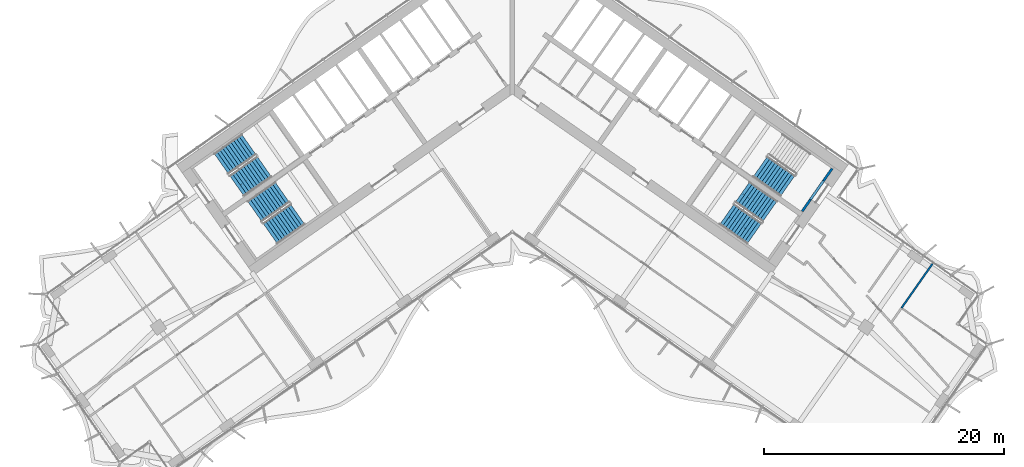
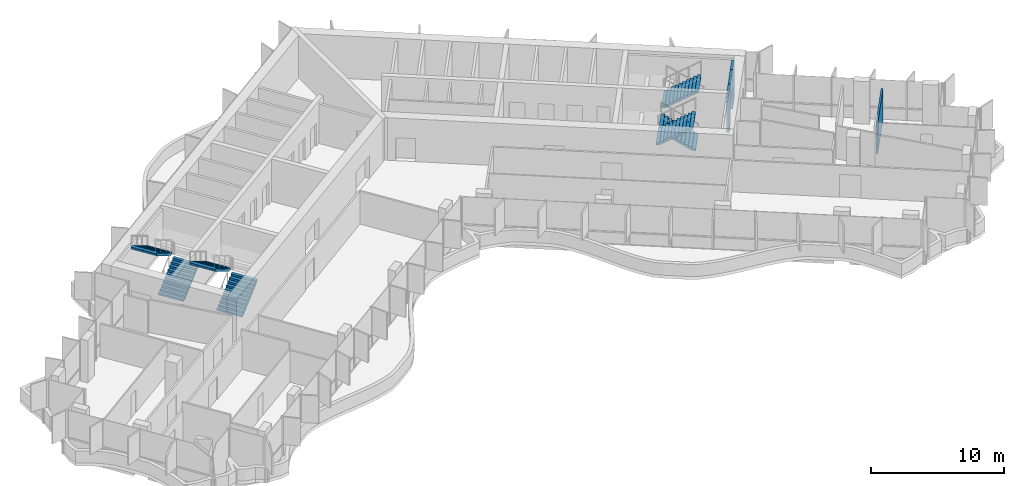
# One storey, part 15 of 22: 7 stair flights, 4 walls, 4 elements without a shape of their own.
"""IFC4 building model written with IfcOpenShell, lengths in metres."""

from ifc_helpers import new_model, si_unit, direction, frame, frame_2d, origin, place, context, subcontext, project, spatial, polyline, rectangle, outline, extrude, material, layer, layer_set, type_object, element, aggregate, save


model = new_model("IFC4")

# Units and contexts
model_context = context("Model", 3, precision=1e-05, world=origin(), true_north=direction((0.0, 1.0)))
body_context = subcontext(model_context, "Body", "Model", "MODEL_VIEW")
ifc_project = project(units=[si_unit("LENGTHUNIT", "METRE"), si_unit("AREAUNIT", "SQUARE_METRE"), si_unit("VOLUMEUNIT", "CUBIC_METRE"), si_unit("PLANEANGLEUNIT", "RADIAN"), si_unit("MASSUNIT", "GRAM", prefix="KILO")], contexts=[model_context])

# Site, building, storey
site_placement = place(None, origin())
site = spatial("IfcSite", under=ifc_project, at=site_placement, CompositionType="ELEMENT")
building_placement = place(site_placement, origin())
building = spatial("IfcBuilding", under=site, at=building_placement, Name="Tel Ilan Convention Tower", CompositionType="ELEMENT")
storey_placement = place(building_placement, frame((0.0, 0.0, 135.89990234375)))
storey = spatial("IfcBuildingStorey", under=building, at=storey_placement, Name="L30", CompositionType="ELEMENT", Elevation=135.89990234375)

# Walls
ifc_material_1 = material(Name="Plasterboard on Steel Studs", Category="steel")
ifc_layer_1 = layer(ifc_material_1, 0.14990234375)
ifc_layer_set_1 = layer_set([ifc_layer_1], Name="Fire-rated Partition 150 EI 60")
wall_type_1 = type_object("IfcWallType", Name="Fire-rated Partition 150 EI 60", PredefinedType="PARTITIONING", material=ifc_layer_set_1)
wall_1_placement = place(storey_placement, frame((35.02001953125, -15.365478515625, 0.0), z_axis=(0.0, 0.0, 1.0), x_axis=(-0.573556991349, -0.819165659482, 0.0)))
element("IfcWall", 1, at=wall_1_placement, inside=storey, type_object=wall_type_1, Name="Partition 018", PredefinedType="PARTITIONING", context=body_context, shape_type="SweptSolid", body=[
    extrude(rectangle(XDim=4.5009765625, YDim=0.14990234375, at=frame_2d((2.25048828125, 0.0))), origin(), (0.0, 0.0, 1.0), 2.900146484375),
])
ifc_material_2 = material(Name="Concrete C30/37", Category="concrete")
ifc_layer_2 = layer(ifc_material_2, 0.199951171875)
ifc_layer_set_2 = layer_set([ifc_layer_2], Name="Stair and Shaft Lining Wall 200 mm C30/37")
wall_type_2 = type_object("IfcWallType", Name="Stair and Shaft Lining Wall 200 mm C30/37", PredefinedType="SOLIDWALL", material=ifc_layer_set_2)
wall_2_placement = place(storey_placement, frame((24.16162109375, -10.99755859375, 0.0), z_axis=(0.0, 0.0, 1.0), x_axis=(0.573612502218, 0.819126789514, 0.0)))
element("IfcWall", 2, at=wall_2_placement, inside=storey, type_object=wall_type_2, Name="L30 core wall lining-S3-u1-0", PredefinedType="SOLIDWALL", context=body_context, shape_type="SweptSolid", body=[
    extrude(rectangle(XDim=1.2001953125, YDim=0.199951171875, at=frame_2d((0.60009765625, 0.0))), origin(), (0.0, 0.0, 1.0), 3.6201171875),
])
wall_3_placement = place(storey_placement, frame((25.939697265625, -8.4580078125, 0.0), z_axis=(0.0, 0.0, 1.0), x_axis=(0.573619628835, 0.819121798889, 0.0)))
element("IfcWall", 3, at=wall_3_placement, inside=storey, type_object=wall_type_2, Name="L30 core wall lining-S3-u1-1", PredefinedType="SOLIDWALL", context=body_context, shape_type="SweptSolid", body=[
    extrude(rectangle(XDim=1.25, YDim=0.199951171875, at=frame_2d((0.625, 0.0))), origin(), (0.0, 0.0, 1.0), 3.6201171875),
])
wall_4_placement = place(storey_placement, frame((24.85009765625, -10.014404296875, 2.150146484375), z_axis=(0.0, 0.0, 1.0), x_axis=(0.573505465124, 0.819201734296, 0.0)))
element("IfcWall", 4, at=wall_4_placement, inside=storey, type_object=wall_type_2, Name="L30 core wall lining-S3-u1-lintel", PredefinedType="SOLIDWALL", context=body_context, shape_type="SweptSolid", body=[
    extrude(rectangle(XDim=1.89990234375, YDim=0.199951171875, at=frame_2d((0.949951171875, 0.0))), origin(), (0.0, 0.0, 1.0), 1.469970703125),
])

# Stair, stair flights
ifc_material_3 = material(Name="Concrete C40/50", Category="concrete")
stair_type = type_object("IfcStairType", Name="Pressurised Exit Stair 22 risers 177 mm", PredefinedType="HALF_TURN_STAIR", material=ifc_material_3)
stair_1_placement = place(storey_placement, origin())
stair_1 = element("IfcStair", 5, at=stair_1_placement, inside=storey, type_object=stair_type, Name="L30 Pressurised Stair S1", PredefinedType="HALF_TURN_STAIR")
ifc_material_4 = material(Name="Precast Concrete C40/50", Category="concrete")
stair_flight_type = type_object("IfcStairFlightType", Name="Concrete Stair Flight 2100 mm 22 risers 177 mm", PredefinedType="STRAIGHT", material=ifc_material_4)
stair_flight_1_placement = place(storey_placement, frame((-22.9619140625, -8.87548828125, 0.0), z_axis=(0.0, 0.0, 1.0), x_axis=(0.819152044289, 0.573576436351, 0.0)))
stair_flight_1 = element("IfcStairFlight", 6, at=stair_flight_1_placement, type_object=stair_flight_type, Name="S1 flight 1", NumberOfRisers=11, NumberOfTreads=10, PredefinedType="STRAIGHT", RiserHeight=0.177272727, TreadLength=0.28, context=body_context, shape_type="SweptSolid", body=[
    extrude(outline(polyline([(0.0, 0.0), (0.0, 0.17724609375), (0.280029296875, 0.17724609375), (0.280029296875, 0.3544921875), (0.56005859375, 0.3544921875), (0.56005859375, 0.53173828125), (0.840087890625, 0.53173828125), (0.840087890625, 0.708984375), (1.1201171875, 0.708984375), (1.1201171875, 0.886474609375), (1.39990234375, 0.886474609375), (1.39990234375, 1.063720703125), (1.679931640625, 1.063720703125), (1.679931640625, 1.240966796875), (1.9599609375, 1.240966796875), (1.9599609375, 1.418212890625), (2.239990234375, 1.418212890625), (2.239990234375, 1.595458984375), (2.52001953125, 1.595458984375), (2.52001953125, 1.772705078125), (2.800048828125, 1.772705078125), (2.800048828125, 1.949951171875), (2.800048828125, 1.59521484375), (0.2802734375, 0.0), (0.0, 0.0)])), frame((0.0, -0.100341796875, 0.0), z_axis=(0.0, -1.0, 0.0), x_axis=(1.0, 0.0, 0.0)), (0.0, 0.0, 1.0), 0.94970703125),
    extrude(outline(polyline([(0.0, 0.0), (0.0, 0.17724609375), (0.280029296875, 0.17724609375), (0.280029296875, 0.3544921875), (0.56005859375, 0.3544921875), (0.56005859375, 0.53173828125), (0.840087890625, 0.53173828125), (0.840087890625, 0.708984375), (1.1201171875, 0.708984375), (1.1201171875, 0.886474609375), (1.39990234375, 0.886474609375), (1.39990234375, 1.063720703125), (1.679931640625, 1.063720703125), (1.679931640625, 1.240966796875), (1.9599609375, 1.240966796875), (1.9599609375, 1.418212890625), (2.239990234375, 1.418212890625), (2.239990234375, 1.595458984375), (2.52001953125, 1.595458984375), (2.52001953125, 1.772705078125), (2.800048828125, 1.772705078125), (2.800048828125, 1.949951171875), (2.800048828125, 1.59521484375), (0.2802734375, 0.0), (0.0, 0.0)])), frame((0.0, -0.000244140625, 0.0), z_axis=(0.0, -1.0, 0.0), x_axis=(1.0, 0.0, 0.0)), (0.0, 0.0, 1.0), 0.099609375),
    extrude(outline(polyline([(0.0, 0.0), (0.0, 0.17724609375), (0.280029296875, 0.17724609375), (0.280029296875, 0.3544921875), (0.56005859375, 0.3544921875), (0.56005859375, 0.53173828125), (0.840087890625, 0.53173828125), (0.840087890625, 0.708984375), (1.1201171875, 0.708984375), (1.1201171875, 0.886474609375), (1.39990234375, 0.886474609375), (1.39990234375, 1.063720703125), (1.679931640625, 1.063720703125), (1.679931640625, 1.240966796875), (1.9599609375, 1.240966796875), (1.9599609375, 1.418212890625), (2.239990234375, 1.418212890625), (2.239990234375, 1.595458984375), (2.52001953125, 1.595458984375), (2.52001953125, 1.772705078125), (2.800048828125, 1.772705078125), (2.800048828125, 1.949951171875), (2.800048828125, 1.59521484375), (0.2802734375, 0.0), (0.0, 0.0)])), frame((0.0, 0.099853515625, 0.0), z_axis=(0.0, -1.0, 0.0), x_axis=(1.0, 0.0, 0.0)), (0.0, 0.0, 1.0), 0.099609375),
    extrude(outline(polyline([(0.0, 0.0), (0.0, 0.17724609375), (0.280029296875, 0.17724609375), (0.280029296875, 0.3544921875), (0.56005859375, 0.3544921875), (0.56005859375, 0.53173828125), (0.840087890625, 0.53173828125), (0.840087890625, 0.708984375), (1.1201171875, 0.708984375), (1.1201171875, 0.886474609375), (1.39990234375, 0.886474609375), (1.39990234375, 1.063720703125), (1.679931640625, 1.063720703125), (1.679931640625, 1.240966796875), (1.9599609375, 1.240966796875), (1.9599609375, 1.418212890625), (2.239990234375, 1.418212890625), (2.239990234375, 1.595458984375), (2.52001953125, 1.595458984375), (2.52001953125, 1.772705078125), (2.800048828125, 1.772705078125), (2.800048828125, 1.949951171875), (2.800048828125, 1.59521484375), (0.2802734375, 0.0), (0.0, 0.0)])), frame((0.0, 1.050048828125, 0.0), z_axis=(0.0, -1.0, 0.0), x_axis=(1.0, 0.0, 0.0)), (0.0, 0.0, 1.0), 0.94970703125),
])
stair_flight_2_placement = place(storey_placement, frame((-21.958740234375, -5.42626953125, 1.9501953125), z_axis=(0.0, 0.0, 1.0), x_axis=(-0.819152044289, -0.573576436351, 0.0)))
stair_flight_2 = element("IfcStairFlight", 7, at=stair_flight_2_placement, type_object=stair_flight_type, Name="S1 flight 2", NumberOfRisers=11, NumberOfTreads=10, PredefinedType="STRAIGHT", RiserHeight=0.177272727, TreadLength=0.28, context=body_context, shape_type="SweptSolid", body=[
    extrude(outline(polyline([(0.0, 0.0), (0.0, 0.17724609375), (0.280029296875, 0.17724609375), (0.280029296875, 0.3544921875), (0.56005859375, 0.3544921875), (0.56005859375, 0.53173828125), (0.840087890625, 0.53173828125), (0.840087890625, 0.708984375), (1.1201171875, 0.708984375), (1.1201171875, 0.886474609375), (1.39990234375, 0.886474609375), (1.39990234375, 1.063720703125), (1.679931640625, 1.063720703125), (1.679931640625, 1.240966796875), (1.9599609375, 1.240966796875), (1.9599609375, 1.418212890625), (2.239990234375, 1.418212890625), (2.239990234375, 1.595458984375), (2.52001953125, 1.595458984375), (2.52001953125, 1.772705078125), (2.800048828125, 1.772705078125), (2.800048828125, 1.949951171875), (2.800048828125, 1.59521484375), (0.2802734375, 0.0), (0.0, 0.0)])), frame((0.0, -0.100341796875, 0.0), z_axis=(0.0, -1.0, 0.0), x_axis=(1.0, 0.0, 0.0)), (0.0, 0.0, 1.0), 0.94970703125),
    extrude(outline(polyline([(0.0, 0.0), (0.0, 0.17724609375), (0.280029296875, 0.17724609375), (0.280029296875, 0.3544921875), (0.56005859375, 0.3544921875), (0.56005859375, 0.53173828125), (0.840087890625, 0.53173828125), (0.840087890625, 0.708984375), (1.1201171875, 0.708984375), (1.1201171875, 0.886474609375), (1.39990234375, 0.886474609375), (1.39990234375, 1.063720703125), (1.679931640625, 1.063720703125), (1.679931640625, 1.240966796875), (1.9599609375, 1.240966796875), (1.9599609375, 1.418212890625), (2.239990234375, 1.418212890625), (2.239990234375, 1.595458984375), (2.52001953125, 1.595458984375), (2.52001953125, 1.772705078125), (2.800048828125, 1.772705078125), (2.800048828125, 1.949951171875), (2.800048828125, 1.59521484375), (0.2802734375, 0.0), (0.0, 0.0)])), frame((0.0, -0.000244140625, 0.0), z_axis=(0.0, -1.0, 0.0), x_axis=(1.0, 0.0, 0.0)), (0.0, 0.0, 1.0), 0.099609375),
    extrude(outline(polyline([(0.0, 0.0), (0.0, 0.17724609375), (0.280029296875, 0.17724609375), (0.280029296875, 0.3544921875), (0.56005859375, 0.3544921875), (0.56005859375, 0.53173828125), (0.840087890625, 0.53173828125), (0.840087890625, 0.708984375), (1.1201171875, 0.708984375), (1.1201171875, 0.886474609375), (1.39990234375, 0.886474609375), (1.39990234375, 1.063720703125), (1.679931640625, 1.063720703125), (1.679931640625, 1.240966796875), (1.9599609375, 1.240966796875), (1.9599609375, 1.418212890625), (2.239990234375, 1.418212890625), (2.239990234375, 1.595458984375), (2.52001953125, 1.595458984375), (2.52001953125, 1.772705078125), (2.800048828125, 1.772705078125), (2.800048828125, 1.949951171875), (2.800048828125, 1.59521484375), (0.2802734375, 0.0), (0.0, 0.0)])), frame((0.0, 0.099853515625, 0.0), z_axis=(0.0, -1.0, 0.0), x_axis=(1.0, 0.0, 0.0)), (0.0, 0.0, 1.0), 0.099609375),
    extrude(outline(polyline([(0.0, 0.0), (0.0, 0.17724609375), (0.280029296875, 0.17724609375), (0.280029296875, 0.3544921875), (0.56005859375, 0.3544921875), (0.56005859375, 0.53173828125), (0.840087890625, 0.53173828125), (0.840087890625, 0.708984375), (1.1201171875, 0.708984375), (1.1201171875, 0.886474609375), (1.39990234375, 0.886474609375), (1.39990234375, 1.063720703125), (1.679931640625, 1.063720703125), (1.679931640625, 1.240966796875), (1.9599609375, 1.240966796875), (1.9599609375, 1.418212890625), (2.239990234375, 1.418212890625), (2.239990234375, 1.595458984375), (2.52001953125, 1.595458984375), (2.52001953125, 1.772705078125), (2.800048828125, 1.772705078125), (2.800048828125, 1.949951171875), (2.800048828125, 1.59521484375), (0.2802734375, 0.0), (0.0, 0.0)])), frame((0.0, 1.050048828125, 0.0), z_axis=(0.0, -1.0, 0.0), x_axis=(1.0, 0.0, 0.0)), (0.0, 0.0, 1.0), 0.94970703125),
])
aggregate(stair_1, [stair_flight_1, stair_flight_2])

stair_2_placement = place(storey_placement, origin())
stair_2 = element("IfcStair", 8, at=stair_2_placement, inside=storey, type_object=stair_type, Name="L30 Pressurised Stair S2", PredefinedType="HALF_TURN_STAIR")
stair_flight_3_placement = place(storey_placement, frame((-20.179931640625, -12.848388671875, 0.0), z_axis=(0.0, 0.0, 1.0), x_axis=(0.819152044289, 0.573576436351, 0.0)))
stair_flight_3 = element("IfcStairFlight", 9, at=stair_flight_3_placement, type_object=stair_flight_type, Name="S2 flight 1", NumberOfRisers=11, NumberOfTreads=10, PredefinedType="STRAIGHT", RiserHeight=0.177272727, TreadLength=0.28, context=body_context, shape_type="SweptSolid", body=[
    extrude(outline(polyline([(0.0, 0.0), (0.0, 0.17724609375), (0.280029296875, 0.17724609375), (0.280029296875, 0.3544921875), (0.56005859375, 0.3544921875), (0.56005859375, 0.53173828125), (0.840087890625, 0.53173828125), (0.840087890625, 0.708984375), (1.1201171875, 0.708984375), (1.1201171875, 0.886474609375), (1.39990234375, 0.886474609375), (1.39990234375, 1.063720703125), (1.679931640625, 1.063720703125), (1.679931640625, 1.240966796875), (1.9599609375, 1.240966796875), (1.9599609375, 1.418212890625), (2.239990234375, 1.418212890625), (2.239990234375, 1.595458984375), (2.52001953125, 1.595458984375), (2.52001953125, 1.772705078125), (2.800048828125, 1.772705078125), (2.800048828125, 1.949951171875), (2.800048828125, 1.59521484375), (0.2802734375, 0.0), (0.0, 0.0)])), frame((0.0, -0.100341796875, 0.0), z_axis=(0.0, -1.0, 0.0), x_axis=(1.0, 0.0, 0.0)), (0.0, 0.0, 1.0), 0.94970703125),
    extrude(outline(polyline([(0.0, 0.0), (0.0, 0.17724609375), (0.280029296875, 0.17724609375), (0.280029296875, 0.3544921875), (0.56005859375, 0.3544921875), (0.56005859375, 0.53173828125), (0.840087890625, 0.53173828125), (0.840087890625, 0.708984375), (1.1201171875, 0.708984375), (1.1201171875, 0.886474609375), (1.39990234375, 0.886474609375), (1.39990234375, 1.063720703125), (1.679931640625, 1.063720703125), (1.679931640625, 1.240966796875), (1.9599609375, 1.240966796875), (1.9599609375, 1.418212890625), (2.239990234375, 1.418212890625), (2.239990234375, 1.595458984375), (2.52001953125, 1.595458984375), (2.52001953125, 1.772705078125), (2.800048828125, 1.772705078125), (2.800048828125, 1.949951171875), (2.800048828125, 1.59521484375), (0.2802734375, 0.0), (0.0, 0.0)])), frame((0.0, -0.000244140625, 0.0), z_axis=(0.0, -1.0, 0.0), x_axis=(1.0, 0.0, 0.0)), (0.0, 0.0, 1.0), 0.099609375),
    extrude(outline(polyline([(0.0, 0.0), (0.0, 0.17724609375), (0.280029296875, 0.17724609375), (0.280029296875, 0.3544921875), (0.56005859375, 0.3544921875), (0.56005859375, 0.53173828125), (0.840087890625, 0.53173828125), (0.840087890625, 0.708984375), (1.1201171875, 0.708984375), (1.1201171875, 0.886474609375), (1.39990234375, 0.886474609375), (1.39990234375, 1.063720703125), (1.679931640625, 1.063720703125), (1.679931640625, 1.240966796875), (1.9599609375, 1.240966796875), (1.9599609375, 1.418212890625), (2.239990234375, 1.418212890625), (2.239990234375, 1.595458984375), (2.52001953125, 1.595458984375), (2.52001953125, 1.772705078125), (2.800048828125, 1.772705078125), (2.800048828125, 1.949951171875), (2.800048828125, 1.59521484375), (0.2802734375, 0.0), (0.0, 0.0)])), frame((0.0, 0.099853515625, 0.0), z_axis=(0.0, -1.0, 0.0), x_axis=(1.0, 0.0, 0.0)), (0.0, 0.0, 1.0), 0.099609375),
    extrude(outline(polyline([(0.0, 0.0), (0.0, 0.17724609375), (0.280029296875, 0.17724609375), (0.280029296875, 0.3544921875), (0.56005859375, 0.3544921875), (0.56005859375, 0.53173828125), (0.840087890625, 0.53173828125), (0.840087890625, 0.708984375), (1.1201171875, 0.708984375), (1.1201171875, 0.886474609375), (1.39990234375, 0.886474609375), (1.39990234375, 1.063720703125), (1.679931640625, 1.063720703125), (1.679931640625, 1.240966796875), (1.9599609375, 1.240966796875), (1.9599609375, 1.418212890625), (2.239990234375, 1.418212890625), (2.239990234375, 1.595458984375), (2.52001953125, 1.595458984375), (2.52001953125, 1.772705078125), (2.800048828125, 1.772705078125), (2.800048828125, 1.949951171875), (2.800048828125, 1.59521484375), (0.2802734375, 0.0), (0.0, 0.0)])), frame((0.0, 1.050048828125, 0.0), z_axis=(0.0, -1.0, 0.0), x_axis=(1.0, 0.0, 0.0)), (0.0, 0.0, 1.0), 0.94970703125),
])
stair_flight_4_placement = place(storey_placement, frame((-19.177001953125, -9.399169921875, 1.9501953125), z_axis=(0.0, 0.0, 1.0), x_axis=(-0.819152044289, -0.573576436351, 0.0)))
stair_flight_4 = element("IfcStairFlight", 10, at=stair_flight_4_placement, type_object=stair_flight_type, Name="S2 flight 2", NumberOfRisers=11, NumberOfTreads=10, PredefinedType="STRAIGHT", RiserHeight=0.177272727, TreadLength=0.28, context=body_context, shape_type="SweptSolid", body=[
    extrude(outline(polyline([(0.0, 0.0), (0.0, 0.17724609375), (0.280029296875, 0.17724609375), (0.280029296875, 0.3544921875), (0.56005859375, 0.3544921875), (0.56005859375, 0.53173828125), (0.840087890625, 0.53173828125), (0.840087890625, 0.708984375), (1.1201171875, 0.708984375), (1.1201171875, 0.886474609375), (1.39990234375, 0.886474609375), (1.39990234375, 1.063720703125), (1.679931640625, 1.063720703125), (1.679931640625, 1.240966796875), (1.9599609375, 1.240966796875), (1.9599609375, 1.418212890625), (2.239990234375, 1.418212890625), (2.239990234375, 1.595458984375), (2.52001953125, 1.595458984375), (2.52001953125, 1.772705078125), (2.800048828125, 1.772705078125), (2.800048828125, 1.949951171875), (2.800048828125, 1.59521484375), (0.2802734375, 0.0), (0.0, 0.0)])), frame((0.0, -0.100341796875, 0.0), z_axis=(0.0, -1.0, 0.0), x_axis=(1.0, 0.0, 0.0)), (0.0, 0.0, 1.0), 0.94970703125),
    extrude(outline(polyline([(0.0, 0.0), (0.0, 0.17724609375), (0.280029296875, 0.17724609375), (0.280029296875, 0.3544921875), (0.56005859375, 0.3544921875), (0.56005859375, 0.53173828125), (0.840087890625, 0.53173828125), (0.840087890625, 0.708984375), (1.1201171875, 0.708984375), (1.1201171875, 0.886474609375), (1.39990234375, 0.886474609375), (1.39990234375, 1.063720703125), (1.679931640625, 1.063720703125), (1.679931640625, 1.240966796875), (1.9599609375, 1.240966796875), (1.9599609375, 1.418212890625), (2.239990234375, 1.418212890625), (2.239990234375, 1.595458984375), (2.52001953125, 1.595458984375), (2.52001953125, 1.772705078125), (2.800048828125, 1.772705078125), (2.800048828125, 1.949951171875), (2.800048828125, 1.59521484375), (0.2802734375, 0.0), (0.0, 0.0)])), frame((0.0, -0.000244140625, 0.0), z_axis=(0.0, -1.0, 0.0), x_axis=(1.0, 0.0, 0.0)), (0.0, 0.0, 1.0), 0.099609375),
    extrude(outline(polyline([(0.0, 0.0), (0.0, 0.17724609375), (0.280029296875, 0.17724609375), (0.280029296875, 0.3544921875), (0.56005859375, 0.3544921875), (0.56005859375, 0.53173828125), (0.840087890625, 0.53173828125), (0.840087890625, 0.708984375), (1.1201171875, 0.708984375), (1.1201171875, 0.886474609375), (1.39990234375, 0.886474609375), (1.39990234375, 1.063720703125), (1.679931640625, 1.063720703125), (1.679931640625, 1.240966796875), (1.9599609375, 1.240966796875), (1.9599609375, 1.418212890625), (2.239990234375, 1.418212890625), (2.239990234375, 1.595458984375), (2.52001953125, 1.595458984375), (2.52001953125, 1.772705078125), (2.800048828125, 1.772705078125), (2.800048828125, 1.949951171875), (2.800048828125, 1.59521484375), (0.2802734375, 0.0), (0.0, 0.0)])), frame((0.0, 0.099853515625, 0.0), z_axis=(0.0, -1.0, 0.0), x_axis=(1.0, 0.0, 0.0)), (0.0, 0.0, 1.0), 0.099609375),
    extrude(outline(polyline([(0.0, 0.0), (0.0, 0.17724609375), (0.280029296875, 0.17724609375), (0.280029296875, 0.3544921875), (0.56005859375, 0.3544921875), (0.56005859375, 0.53173828125), (0.840087890625, 0.53173828125), (0.840087890625, 0.708984375), (1.1201171875, 0.708984375), (1.1201171875, 0.886474609375), (1.39990234375, 0.886474609375), (1.39990234375, 1.063720703125), (1.679931640625, 1.063720703125), (1.679931640625, 1.240966796875), (1.9599609375, 1.240966796875), (1.9599609375, 1.418212890625), (2.239990234375, 1.418212890625), (2.239990234375, 1.595458984375), (2.52001953125, 1.595458984375), (2.52001953125, 1.772705078125), (2.800048828125, 1.772705078125), (2.800048828125, 1.949951171875), (2.800048828125, 1.59521484375), (0.2802734375, 0.0), (0.0, 0.0)])), frame((0.0, 1.050048828125, 0.0), z_axis=(0.0, -1.0, 0.0), x_axis=(1.0, 0.0, 0.0)), (0.0, 0.0, 1.0), 0.94970703125),
])
aggregate(stair_2, [stair_flight_3, stair_flight_4])

# Stair, stair flight
stair_3_placement = place(storey_placement, origin())
stair_3 = element("IfcStair", 11, at=stair_3_placement, inside=storey, type_object=stair_type, Name="L30 Pressurised Stair S3", PredefinedType="HALF_TURN_STAIR")
stair_flight_5_placement = place(storey_placement, frame((20.668212890625, -7.26953125, 1.9501953125), z_axis=(0.0, 0.0, 1.0), x_axis=(0.819152044289, -0.573576436351, 0.0)))
stair_flight_5 = element("IfcStairFlight", 12, at=stair_flight_5_placement, type_object=stair_flight_type, Name="S3 flight 2", NumberOfRisers=11, NumberOfTreads=10, PredefinedType="STRAIGHT", RiserHeight=0.177272727, TreadLength=0.28, context=body_context, shape_type="SweptSolid", body=[
    extrude(outline(polyline([(0.0, 0.0), (0.0, 0.17724609375), (0.280029296875, 0.17724609375), (0.280029296875, 0.3544921875), (0.56005859375, 0.3544921875), (0.56005859375, 0.53173828125), (0.840087890625, 0.53173828125), (0.840087890625, 0.708984375), (1.1201171875, 0.708984375), (1.1201171875, 0.886474609375), (1.39990234375, 0.886474609375), (1.39990234375, 1.063720703125), (1.679931640625, 1.063720703125), (1.679931640625, 1.240966796875), (1.9599609375, 1.240966796875), (1.9599609375, 1.418212890625), (2.239990234375, 1.418212890625), (2.239990234375, 1.595458984375), (2.52001953125, 1.595458984375), (2.52001953125, 1.772705078125), (2.800048828125, 1.772705078125), (2.800048828125, 1.949951171875), (2.800048828125, 1.59521484375), (0.2802734375, 0.0), (0.0, 0.0)])), frame((0.0, -0.100341796875, 0.0), z_axis=(0.0, -1.0, 0.0), x_axis=(1.0, 0.0, 0.0)), (0.0, 0.0, 1.0), 0.94970703125),
    extrude(outline(polyline([(0.0, 0.0), (0.0, 0.17724609375), (0.280029296875, 0.17724609375), (0.280029296875, 0.3544921875), (0.56005859375, 0.3544921875), (0.56005859375, 0.53173828125), (0.840087890625, 0.53173828125), (0.840087890625, 0.708984375), (1.1201171875, 0.708984375), (1.1201171875, 0.886474609375), (1.39990234375, 0.886474609375), (1.39990234375, 1.063720703125), (1.679931640625, 1.063720703125), (1.679931640625, 1.240966796875), (1.9599609375, 1.240966796875), (1.9599609375, 1.418212890625), (2.239990234375, 1.418212890625), (2.239990234375, 1.595458984375), (2.52001953125, 1.595458984375), (2.52001953125, 1.772705078125), (2.800048828125, 1.772705078125), (2.800048828125, 1.949951171875), (2.800048828125, 1.59521484375), (0.2802734375, 0.0), (0.0, 0.0)])), frame((0.0, -0.000244140625, 0.0), z_axis=(0.0, -1.0, 0.0), x_axis=(1.0, 0.0, 0.0)), (0.0, 0.0, 1.0), 0.099609375),
    extrude(outline(polyline([(0.0, 0.0), (0.0, 0.17724609375), (0.280029296875, 0.17724609375), (0.280029296875, 0.3544921875), (0.56005859375, 0.3544921875), (0.56005859375, 0.53173828125), (0.840087890625, 0.53173828125), (0.840087890625, 0.708984375), (1.1201171875, 0.708984375), (1.1201171875, 0.886474609375), (1.39990234375, 0.886474609375), (1.39990234375, 1.063720703125), (1.679931640625, 1.063720703125), (1.679931640625, 1.240966796875), (1.9599609375, 1.240966796875), (1.9599609375, 1.418212890625), (2.239990234375, 1.418212890625), (2.239990234375, 1.595458984375), (2.52001953125, 1.595458984375), (2.52001953125, 1.772705078125), (2.800048828125, 1.772705078125), (2.800048828125, 1.949951171875), (2.800048828125, 1.59521484375), (0.2802734375, 0.0), (0.0, 0.0)])), frame((0.0, 0.099853515625, 0.0), z_axis=(0.0, -1.0, 0.0), x_axis=(1.0, 0.0, 0.0)), (0.0, 0.0, 1.0), 0.099609375),
    extrude(outline(polyline([(0.0, 0.0), (0.0, 0.17724609375), (0.280029296875, 0.17724609375), (0.280029296875, 0.3544921875), (0.56005859375, 0.3544921875), (0.56005859375, 0.53173828125), (0.840087890625, 0.53173828125), (0.840087890625, 0.708984375), (1.1201171875, 0.708984375), (1.1201171875, 0.886474609375), (1.39990234375, 0.886474609375), (1.39990234375, 1.063720703125), (1.679931640625, 1.063720703125), (1.679931640625, 1.240966796875), (1.9599609375, 1.240966796875), (1.9599609375, 1.418212890625), (2.239990234375, 1.418212890625), (2.239990234375, 1.595458984375), (2.52001953125, 1.595458984375), (2.52001953125, 1.772705078125), (2.800048828125, 1.772705078125), (2.800048828125, 1.949951171875), (2.800048828125, 1.59521484375), (0.2802734375, 0.0), (0.0, 0.0)])), frame((0.0, 1.050048828125, 0.0), z_axis=(0.0, -1.0, 0.0), x_axis=(1.0, 0.0, 0.0)), (0.0, 0.0, 1.0), 0.94970703125),
])
aggregate(stair_3, [stair_flight_5])

# Stair, stair flights
stair_4_placement = place(storey_placement, origin())
stair_4 = element("IfcStair", 13, at=stair_4_placement, inside=storey, type_object=stair_type, Name="L30 Pressurised Stair S4", PredefinedType="HALF_TURN_STAIR")
stair_flight_6_placement = place(storey_placement, frame((21.470458984375, -11.00537109375, 0.0), z_axis=(0.0, 0.0, 1.0), x_axis=(-0.819152044289, 0.573576436351, 0.0)))
stair_flight_6 = element("IfcStairFlight", 14, at=stair_flight_6_placement, type_object=stair_flight_type, Name="S4 flight 1", NumberOfRisers=11, NumberOfTreads=10, PredefinedType="STRAIGHT", RiserHeight=0.177272727, TreadLength=0.28, context=body_context, shape_type="SweptSolid", body=[
    extrude(outline(polyline([(0.0, 0.0), (0.0, 0.17724609375), (0.280029296875, 0.17724609375), (0.280029296875, 0.3544921875), (0.56005859375, 0.3544921875), (0.56005859375, 0.53173828125), (0.840087890625, 0.53173828125), (0.840087890625, 0.708984375), (1.1201171875, 0.708984375), (1.1201171875, 0.886474609375), (1.39990234375, 0.886474609375), (1.39990234375, 1.063720703125), (1.679931640625, 1.063720703125), (1.679931640625, 1.240966796875), (1.9599609375, 1.240966796875), (1.9599609375, 1.418212890625), (2.239990234375, 1.418212890625), (2.239990234375, 1.595458984375), (2.52001953125, 1.595458984375), (2.52001953125, 1.772705078125), (2.800048828125, 1.772705078125), (2.800048828125, 1.949951171875), (2.800048828125, 1.59521484375), (0.2802734375, 0.0), (0.0, 0.0)])), frame((0.0, -0.100341796875, 0.0), z_axis=(0.0, -1.0, 0.0), x_axis=(1.0, 0.0, 0.0)), (0.0, 0.0, 1.0), 0.94970703125),
    extrude(outline(polyline([(0.0, 0.0), (0.0, 0.17724609375), (0.280029296875, 0.17724609375), (0.280029296875, 0.3544921875), (0.56005859375, 0.3544921875), (0.56005859375, 0.53173828125), (0.840087890625, 0.53173828125), (0.840087890625, 0.708984375), (1.1201171875, 0.708984375), (1.1201171875, 0.886474609375), (1.39990234375, 0.886474609375), (1.39990234375, 1.063720703125), (1.679931640625, 1.063720703125), (1.679931640625, 1.240966796875), (1.9599609375, 1.240966796875), (1.9599609375, 1.418212890625), (2.239990234375, 1.418212890625), (2.239990234375, 1.595458984375), (2.52001953125, 1.595458984375), (2.52001953125, 1.772705078125), (2.800048828125, 1.772705078125), (2.800048828125, 1.949951171875), (2.800048828125, 1.59521484375), (0.2802734375, 0.0), (0.0, 0.0)])), frame((0.0, -0.000244140625, 0.0), z_axis=(0.0, -1.0, 0.0), x_axis=(1.0, 0.0, 0.0)), (0.0, 0.0, 1.0), 0.099609375),
    extrude(outline(polyline([(0.0, 0.0), (0.0, 0.17724609375), (0.280029296875, 0.17724609375), (0.280029296875, 0.3544921875), (0.56005859375, 0.3544921875), (0.56005859375, 0.53173828125), (0.840087890625, 0.53173828125), (0.840087890625, 0.708984375), (1.1201171875, 0.708984375), (1.1201171875, 0.886474609375), (1.39990234375, 0.886474609375), (1.39990234375, 1.063720703125), (1.679931640625, 1.063720703125), (1.679931640625, 1.240966796875), (1.9599609375, 1.240966796875), (1.9599609375, 1.418212890625), (2.239990234375, 1.418212890625), (2.239990234375, 1.595458984375), (2.52001953125, 1.595458984375), (2.52001953125, 1.772705078125), (2.800048828125, 1.772705078125), (2.800048828125, 1.949951171875), (2.800048828125, 1.59521484375), (0.2802734375, 0.0), (0.0, 0.0)])), frame((0.0, 0.099853515625, 0.0), z_axis=(0.0, -1.0, 0.0), x_axis=(1.0, 0.0, 0.0)), (0.0, 0.0, 1.0), 0.099609375),
    extrude(outline(polyline([(0.0, 0.0), (0.0, 0.17724609375), (0.280029296875, 0.17724609375), (0.280029296875, 0.3544921875), (0.56005859375, 0.3544921875), (0.56005859375, 0.53173828125), (0.840087890625, 0.53173828125), (0.840087890625, 0.708984375), (1.1201171875, 0.708984375), (1.1201171875, 0.886474609375), (1.39990234375, 0.886474609375), (1.39990234375, 1.063720703125), (1.679931640625, 1.063720703125), (1.679931640625, 1.240966796875), (1.9599609375, 1.240966796875), (1.9599609375, 1.418212890625), (2.239990234375, 1.418212890625), (2.239990234375, 1.595458984375), (2.52001953125, 1.595458984375), (2.52001953125, 1.772705078125), (2.800048828125, 1.772705078125), (2.800048828125, 1.949951171875), (2.800048828125, 1.59521484375), (0.2802734375, 0.0), (0.0, 0.0)])), frame((0.0, 1.050048828125, 0.0), z_axis=(0.0, -1.0, 0.0), x_axis=(1.0, 0.0, 0.0)), (0.0, 0.0, 1.0), 0.94970703125),
])
stair_flight_7_placement = place(storey_placement, frame((17.886474609375, -11.242431640625, 1.9501953125), z_axis=(0.0, 0.0, 1.0), x_axis=(0.819152044289, -0.573576436351, 0.0)))
stair_flight_7 = element("IfcStairFlight", 15, at=stair_flight_7_placement, type_object=stair_flight_type, Name="S4 flight 2", NumberOfRisers=11, NumberOfTreads=10, PredefinedType="STRAIGHT", RiserHeight=0.177272727, TreadLength=0.28, context=body_context, shape_type="SweptSolid", body=[
    extrude(outline(polyline([(0.0, 0.0), (0.0, 0.17724609375), (0.280029296875, 0.17724609375), (0.280029296875, 0.3544921875), (0.56005859375, 0.3544921875), (0.56005859375, 0.53173828125), (0.840087890625, 0.53173828125), (0.840087890625, 0.708984375), (1.1201171875, 0.708984375), (1.1201171875, 0.886474609375), (1.39990234375, 0.886474609375), (1.39990234375, 1.063720703125), (1.679931640625, 1.063720703125), (1.679931640625, 1.240966796875), (1.9599609375, 1.240966796875), (1.9599609375, 1.418212890625), (2.239990234375, 1.418212890625), (2.239990234375, 1.595458984375), (2.52001953125, 1.595458984375), (2.52001953125, 1.772705078125), (2.800048828125, 1.772705078125), (2.800048828125, 1.949951171875), (2.800048828125, 1.59521484375), (0.2802734375, 0.0), (0.0, 0.0)])), frame((0.0, -0.100341796875, 0.0), z_axis=(0.0, -1.0, 0.0), x_axis=(1.0, 0.0, 0.0)), (0.0, 0.0, 1.0), 0.94970703125),
    extrude(outline(polyline([(0.0, 0.0), (0.0, 0.17724609375), (0.280029296875, 0.17724609375), (0.280029296875, 0.3544921875), (0.56005859375, 0.3544921875), (0.56005859375, 0.53173828125), (0.840087890625, 0.53173828125), (0.840087890625, 0.708984375), (1.1201171875, 0.708984375), (1.1201171875, 0.886474609375), (1.39990234375, 0.886474609375), (1.39990234375, 1.063720703125), (1.679931640625, 1.063720703125), (1.679931640625, 1.240966796875), (1.9599609375, 1.240966796875), (1.9599609375, 1.418212890625), (2.239990234375, 1.418212890625), (2.239990234375, 1.595458984375), (2.52001953125, 1.595458984375), (2.52001953125, 1.772705078125), (2.800048828125, 1.772705078125), (2.800048828125, 1.949951171875), (2.800048828125, 1.59521484375), (0.2802734375, 0.0), (0.0, 0.0)])), frame((0.0, -0.000244140625, 0.0), z_axis=(0.0, -1.0, 0.0), x_axis=(1.0, 0.0, 0.0)), (0.0, 0.0, 1.0), 0.099609375),
    extrude(outline(polyline([(0.0, 0.0), (0.0, 0.17724609375), (0.280029296875, 0.17724609375), (0.280029296875, 0.3544921875), (0.56005859375, 0.3544921875), (0.56005859375, 0.53173828125), (0.840087890625, 0.53173828125), (0.840087890625, 0.708984375), (1.1201171875, 0.708984375), (1.1201171875, 0.886474609375), (1.39990234375, 0.886474609375), (1.39990234375, 1.063720703125), (1.679931640625, 1.063720703125), (1.679931640625, 1.240966796875), (1.9599609375, 1.240966796875), (1.9599609375, 1.418212890625), (2.239990234375, 1.418212890625), (2.239990234375, 1.595458984375), (2.52001953125, 1.595458984375), (2.52001953125, 1.772705078125), (2.800048828125, 1.772705078125), (2.800048828125, 1.949951171875), (2.800048828125, 1.59521484375), (0.2802734375, 0.0), (0.0, 0.0)])), frame((0.0, 0.099853515625, 0.0), z_axis=(0.0, -1.0, 0.0), x_axis=(1.0, 0.0, 0.0)), (0.0, 0.0, 1.0), 0.099609375),
    extrude(outline(polyline([(0.0, 0.0), (0.0, 0.17724609375), (0.280029296875, 0.17724609375), (0.280029296875, 0.3544921875), (0.56005859375, 0.3544921875), (0.56005859375, 0.53173828125), (0.840087890625, 0.53173828125), (0.840087890625, 0.708984375), (1.1201171875, 0.708984375), (1.1201171875, 0.886474609375), (1.39990234375, 0.886474609375), (1.39990234375, 1.063720703125), (1.679931640625, 1.063720703125), (1.679931640625, 1.240966796875), (1.9599609375, 1.240966796875), (1.9599609375, 1.418212890625), (2.239990234375, 1.418212890625), (2.239990234375, 1.595458984375), (2.52001953125, 1.595458984375), (2.52001953125, 1.772705078125), (2.800048828125, 1.772705078125), (2.800048828125, 1.949951171875), (2.800048828125, 1.59521484375), (0.2802734375, 0.0), (0.0, 0.0)])), frame((0.0, 1.050048828125, 0.0), z_axis=(0.0, -1.0, 0.0), x_axis=(1.0, 0.0, 0.0)), (0.0, 0.0, 1.0), 0.94970703125),
])
aggregate(stair_4, [stair_flight_6, stair_flight_7])

save(model, "model.ifc")
